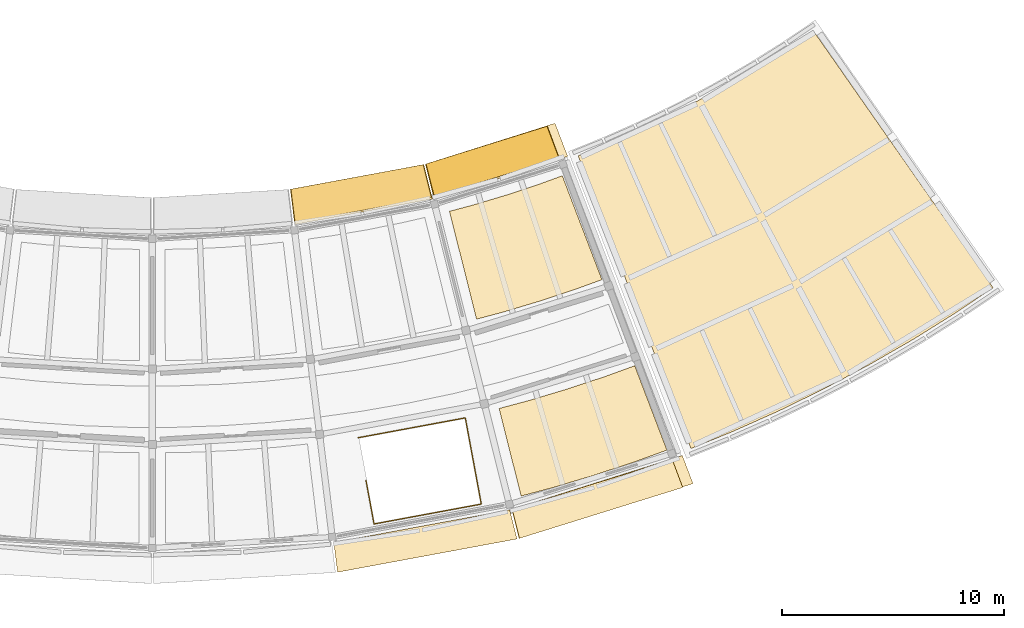
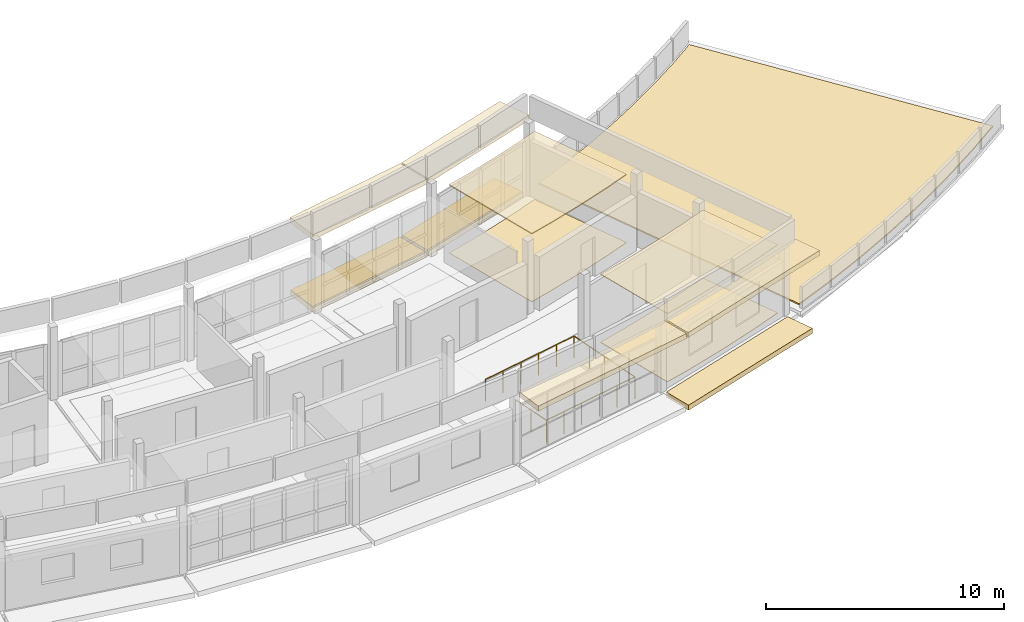
# One storey, part 12 of 12: 12 coverings, 2 shading devices, 1 railing.
"""IFC4 building model written with IfcOpenShell, lengths in metres."""

from ifc_helpers import new_model, si_unit, direction, frame, origin, origin_2d, place, context, subcontext, project, spatial, polyline, circle, outline, extrude, material, layer, layer_set, type_object, element, save


model = new_model("IFC4")

# Units and contexts
model_context = context("Model", 3, precision=1e-05, world=origin(), true_north=direction((0.0, 1.0)))
body_context = subcontext(model_context, "Body", "Model", "MODEL_VIEW")
ifc_project = project(units=[si_unit("LENGTHUNIT", "METRE"), si_unit("AREAUNIT", "SQUARE_METRE"), si_unit("VOLUMEUNIT", "CUBIC_METRE"), si_unit("PLANEANGLEUNIT", "RADIAN"), si_unit("MASSUNIT", "GRAM", prefix="KILO")], contexts=[model_context])

# Site, building, storey
site_placement = place(None, origin())
site = spatial("IfcSite", under=ifc_project, at=site_placement, CompositionType="ELEMENT")
building_placement = place(site_placement, origin())
building = spatial("IfcBuilding", under=site, at=building_placement, Name="Caldaven Crescent School", CompositionType="ELEMENT")
storey_placement = place(building_placement, frame((0.0, 0.0, 19.3798828125)))
storey = spatial("IfcBuildingStorey", under=building, at=storey_placement, Name="L05", CompositionType="ELEMENT", Elevation=19.3798828125)

# Coverings
ifc_material_1 = material(Name="White architectural GFRC precast concrete C35/45 cladding", Category="concrete")
ifc_layer_1 = layer(ifc_material_1, 0.260009765625)
ifc_layer_set_1 = layer_set([ifc_layer_1], Name="White architectural GFRC precast concrete C35/45 cladding")
covering_type_1 = type_object("IfcCoveringType", Name="COV-CLD1", PredefinedType="CLADDING", material=ifc_layer_set_1)
covering_1_placement = place(storey_placement, frame((0.0, 0.0, -0.259765625)))
element("IfcCovering", 1, at=covering_1_placement, inside=storey, type_object=covering_type_1, Name="CLD-IN-L05-101", PredefinedType="CLADDING", context=body_context, shape_type="SweptSolid", body=[
    extrude(outline(polyline([(94.21923828125, 45.78369140625), (100.18994140625, 46.89013671875), (100.5751953125, 45.33740234375), (94.415771484375, 44.19580078125), (94.21923828125, 45.78369140625)])), origin(), (0.0, 0.0, 1.0), 0.259765625),
])
covering_2_placement = place(storey_placement, frame((0.0, 0.0, -0.259765625)))
element("IfcCovering", 2, at=covering_2_placement, inside=storey, type_object=covering_type_1, Name="CLD-IN-L05-103", PredefinedType="CLADDING", context=body_context, shape_type="SweptSolid", body=[
    extrude(outline(polyline([(100.292724609375, 46.915771484375), (105.758056640625, 48.618408203125), (106.319580078125, 47.120361328125), (100.681396484375, 45.36376953125), (100.292724609375, 46.915771484375)])), origin(), (0.0, 0.0, 1.0), 0.259765625),
])
covering_3_placement = place(storey_placement, frame((0.0, 0.0, -0.259765625)))
element("IfcCovering", 3, at=covering_3_placement, inside=storey, type_object=covering_type_1, Name="CLD-OUT-L05-104", PredefinedType="CLADDING", context=body_context, shape_type="SweptSolid", body=[
    extrude(outline(polyline([(104.1796875, 31.395263671875), (111.373291015625, 33.63623046875), (111.84716796875, 32.3720703125), (104.507568359375, 30.085693359375), (104.1796875, 31.395263671875)])), origin(), (0.0, 0.0, 1.0), 0.259765625),
])
covering_4_placement = place(storey_placement, frame((0.0, 0.0, 3.480224609375)))
element("IfcCovering", 4, at=covering_4_placement, inside=storey, type_object=covering_type_1, Name="CLD-IN-ROOF-113", PredefinedType="CLADDING", context=body_context, shape_type="SweptSolid", body=[
    extrude(outline(polyline([(94.199462890625, 45.78125), (100.208984375, 46.89501953125), (100.59521484375, 45.34228515625), (94.3955078125, 44.193359375), (94.199462890625, 45.78125)])), origin(), (0.0, 0.0, 1.0), 0.260009765625),
])
covering_5_placement = place(storey_placement, frame((0.0, 0.0, 3.480224609375)))
element("IfcCovering", 5, at=covering_5_placement, inside=storey, type_object=covering_type_1, Name="CLD-OUT-ROOF-114", PredefinedType="CLADDING", context=body_context, shape_type="SweptSolid", body=[
    extrude(outline(polyline([(96.159912109375, 29.90185546875), (104.069580078125, 31.36767578125), (104.395263671875, 30.0576171875), (96.3251953125, 28.56201171875), (96.159912109375, 29.90185546875)])), origin(), (0.0, 0.0, 1.0), 0.260009765625),
])
covering_6_placement = place(storey_placement, frame((0.0, 0.0, 3.480224609375)))
element("IfcCovering", 6, at=covering_6_placement, inside=storey, type_object=covering_type_1, Name="CLD-IN-ROOF-115", PredefinedType="CLADDING", context=body_context, shape_type="SweptSolid", body=[
    extrude(outline(polyline([(100.2734375, 46.9111328125), (106.1025390625, 48.7490234375), (106.6748046875, 47.2548828125), (100.66162109375, 45.35888671875), (100.2734375, 46.9111328125)])), origin(), (0.0, 0.0, 1.0), 0.260009765625),
])
covering_7_placement = place(storey_placement, frame((0.0, 0.0, 3.480224609375)))
element("IfcCovering", 7, at=covering_7_placement, inside=storey, type_object=covering_type_1, Name="CLD-OUT-ROOF-116", PredefinedType="CLADDING", context=body_context, shape_type="SweptSolid", body=[
    extrude(outline(polyline([(104.154296875, 31.388916015625), (111.826416015625, 33.807861328125), (112.3095703125, 32.54736328125), (104.48193359375, 30.0791015625), (104.154296875, 31.388916015625)])), origin(), (0.0, 0.0, 1.0), 0.260009765625),
])
ifc_material_2 = material(Name="Perforated Pino Radiata acoustic timber baffle ceiling", Category="wood")
ifc_layer_2 = layer(ifc_material_2, 0.030029296875)
ifc_layer_set_2 = layer_set([ifc_layer_2], Name="Perforated Pino Radiata acoustic timber baffle ceiling")
covering_type_2 = type_object("IfcCoveringType", Name="COV-CLG1", PredefinedType="CEILING", material=ifc_layer_set_2)
covering_8_placement = place(storey_placement, frame((0.0, 0.0, 3.5)))
element("IfcCovering", 8, at=covering_8_placement, inside=storey, type_object=covering_type_2, Name="CLG-L05-208", PredefinedType="CEILING", context=body_context, shape_type="SweptSolid", body=[
    extrude(outline(polyline([(104.910400390625, 36.278076171875), (104.923095703125, 36.281494140625), (106.658447265625, 36.80078125), (106.671142578125, 36.804931640625), (108.390380859375, 37.375), (108.40283203125, 37.379150390625), (109.68798828125, 37.84765625), (111.13427734375, 34.053955078125), (109.730712890625, 33.54248046875), (107.8857421875, 32.9306640625), (106.023193359375, 32.37353515625), (104.580322265625, 31.987548828125), (103.589111328125, 35.924560546875), (104.910400390625, 36.278076171875)])), origin(), (0.0, 0.0, 1.0), 0.030029296875),
])
ifc_layer_3 = layer(ifc_material_2, 0.053955078125)
ifc_layer_set_3 = layer_set([ifc_layer_3], Name="Perforated Pino Radiata acoustic timber baffle ceiling")
covering_type_3 = type_object("IfcCoveringType", Name="COV-CLG4", PredefinedType="CEILING", material=ifc_layer_set_3)
covering_9_placement = place(storey_placement, frame((0.0, 0.0, 3.47607421875)))
element("IfcCovering", 9, at=covering_9_placement, inside=storey, type_object=covering_type_3, Name="CLG-L05-207", PredefinedType="CEILING", context=body_context, shape_type="SweptSolid", body=[
    extrude(outline(polyline([(102.41943359375, 45.072021484375), (102.43212890625, 45.07568359375), (103.909912109375, 45.517822265625), (103.922607421875, 45.521728515625), (105.386962890625, 46.00732421875), (105.3994140625, 46.01171875), (106.43212890625, 46.38818359375), (108.21337890625, 41.716064453125), (107.0361328125, 41.287109375), (105.419921875, 40.751220703125), (103.78857421875, 40.26318359375), (102.578369140625, 39.939453125), (101.357666015625, 44.7880859375), (102.41943359375, 45.072021484375)])), origin(), (0.0, 0.0, 1.0), 0.053955078125),
])
ifc_material_3 = material(Name="Polished terrazzo and acoustic linoleum flooring")
ifc_layer_4 = layer(ifc_material_3, 0.02001953125)
ifc_layer_set_4 = layer_set([ifc_layer_4], Name="Polished terrazzo and acoustic linoleum flooring")
covering_type_4 = type_object("IfcCoveringType", Name="COV-FLR1", PredefinedType="FLOORING", material=ifc_layer_set_4)
covering_10_placement = place(storey_placement, origin())
element("IfcCovering", 10, at=covering_10_placement, inside=storey, type_object=covering_type_4, Name="FLR-L05-207", PredefinedType="FLOORING", context=body_context, shape_type="SweptSolid", body=[
    extrude(outline(polyline([(101.357666015625, 44.7880859375), (102.41943359375, 45.072021484375), (102.43212890625, 45.07568359375), (103.909912109375, 45.517822265625), (103.922607421875, 45.521728515625), (105.386962890625, 46.00732421875), (105.3994140625, 46.01171875), (106.43212890625, 46.38818359375), (108.21337890625, 41.716064453125), (107.0361328125, 41.287109375), (105.419921875, 40.751220703125), (103.78857421875, 40.26318359375), (102.578369140625, 39.939453125), (101.357666015625, 44.7880859375)])), origin(), (0.0, 0.0, 1.0), 0.02001953125),
])
ifc_layer_5 = layer(ifc_material_3, 0.02587890625)
ifc_layer_set_5 = layer_set([ifc_layer_5], Name="Polished terrazzo and acoustic linoleum flooring")
covering_type_5 = type_object("IfcCoveringType", Name="COV-FLR2", PredefinedType="FLOORING", material=ifc_layer_set_5)
covering_11_placement = place(storey_placement, origin())
element("IfcCovering", 11, at=covering_11_placement, inside=storey, type_object=covering_type_5, Name="FLR-L05-208", PredefinedType="FLOORING", context=body_context, shape_type="SweptSolid", body=[
    extrude(outline(polyline([(103.589111328125, 35.924560546875), (104.910400390625, 36.278076171875), (104.923095703125, 36.281494140625), (106.658447265625, 36.80078125), (106.671142578125, 36.804931640625), (108.390380859375, 37.375), (108.40283203125, 37.379150390625), (109.68798828125, 37.84765625), (111.13427734375, 34.053955078125), (109.730712890625, 33.54248046875), (107.8857421875, 32.9306640625), (106.023193359375, 32.37353515625), (104.580322265625, 31.987548828125), (103.589111328125, 35.924560546875)])), origin(), (0.0, 0.0, 1.0), 0.026123046875),
])
ifc_material_4 = material(Name="Standing-seam zinc-copper roofing over rigid mineral insulation")
ifc_layer_6 = layer(ifc_material_4, 0.072021484375)
ifc_layer_set_6 = layer_set([ifc_layer_6], Name="Standing-seam zinc-copper roofing over rigid mineral insulation")
covering_type_6 = type_object("IfcCoveringType", Name="COV-RFG1", PredefinedType="ROOFING", material=ifc_layer_set_6)
covering_12_placement = place(storey_placement, origin())
element("IfcCovering", 12, at=covering_12_placement, inside=storey, type_object=covering_type_6, Name="RFG-L05-05", PredefinedType="ROOFING", context=body_context, shape_type="SweptSolid", body=[
    extrude(outline(polyline([(112.214111328125, 34.12451171875), (107.14501953125, 47.281494140625), (108.49658203125, 47.829345703125), (108.5078125, 47.833984375), (110.153564453125, 48.568603515625), (110.16455078125, 48.57373046875), (111.783935546875, 49.36474609375), (111.794677734375, 49.370361328125), (113.3857421875, 50.217041015625), (113.396240234375, 50.222900390625), (114.95703125, 51.124267578125), (114.96728515625, 51.130615234375), (116.495849609375, 52.085205078125), (116.506103515625, 52.091796875), (117.71533203125, 52.906982421875), (125.797119140625, 41.35302734375), (124.177490234375, 40.261474609375), (122.224365234375, 39.041259765625), (120.22998046875, 37.889404296875), (118.19677734375, 36.8076171875), (116.12744140625, 35.796630859375), (114.024169921875, 34.858154296875), (112.214111328125, 34.12451171875)])), origin(), (0.0, 0.0, 1.0), 0.072021484375),
])

# Railing
ifc_material_5 = material(Name="Powder-coated tubular steel balustrade ASTM A572 Grade 50", Category="steel")
railing_type = type_object("IfcRailingType", Name="RAL-INT3", PredefinedType="BALUSTRADE", material=ifc_material_5)
railing_placement = place(storey_placement, frame((97.606201171875, 32.6904296875, 0.0)))
element("IfcRailing", 13, at=railing_placement, inside=storey, type_object=railing_type, Name="GD-WELL-ST3-L05", PredefinedType="BALUSTRADE", context=body_context, shape_type="SweptSolid", body=[
    extrude(circle(Radius=0.02392578125, at=origin_2d()), frame((0.0, 0.0, 1.1259765625), z_axis=(0.182199096939, -0.983261658499, 0.0), x_axis=(0.983261658499, 0.182199096939, 0.0)), (0.0, 0.0, 1.0), 1.98974609375),
    extrude(circle(Radius=0.02392578125, at=origin_2d()), frame((0.362548828125, -1.95654296875, 1.1259765625), z_axis=(0.983254581157, 0.18223728662, 0.0), x_axis=(-0.18223728662, 0.983254581157, 0.0)), (0.0, 0.0, 1.0), 4.90185546875),
    extrude(circle(Radius=0.02392578125, at=origin_2d()), frame((5.182373046875, -1.063232421875, 1.1259765625), z_axis=(-0.182237923861, 0.98325446305, 0.0), x_axis=(-0.98325446305, -0.182237923861, 0.0)), (0.0, 0.0, 1.0), 3.93994140625),
    extrude(circle(Radius=0.02392578125, at=origin_2d()), frame((4.46435546875, 2.810791015625, 1.1259765625), z_axis=(-0.983254581157, -0.18223728662, 0.0), x_axis=(0.18223728662, -0.983254581157, 0.0)), (0.0, 0.0, 1.0), 4.90185546875),
    extrude(circle(Radius=0.02099609375, at=origin_2d()), origin(), (0.0, 0.0, 1.0), 1.101806640625),
    extrude(circle(Radius=0.02099609375, at=origin_2d()), frame((0.18115234375, -0.978271484375, 0.0)), (0.0, 0.0, 1.0), 1.101806640625),
    extrude(circle(Radius=0.02099609375, at=origin_2d()), frame((0.362548828125, -1.95654296875, 0.0)), (0.0, 0.0, 1.0), 1.101806640625),
    extrude(circle(Radius=0.02099609375, at=origin_2d()), frame((1.326416015625, -1.77783203125, 0.0)), (0.0, 0.0, 1.0), 1.101806640625),
    extrude(circle(Radius=0.02099609375, at=origin_2d()), frame((2.29052734375, -1.59912109375, 0.0)), (0.0, 0.0, 1.0), 1.101806640625),
    extrude(circle(Radius=0.02099609375, at=origin_2d()), frame((3.25439453125, -1.420654296875, 0.0)), (0.0, 0.0, 1.0), 1.101806640625),
    extrude(circle(Radius=0.02099609375, at=origin_2d()), frame((4.218505859375, -1.241943359375, 0.0)), (0.0, 0.0, 1.0), 1.101806640625),
    extrude(circle(Radius=0.02099609375, at=origin_2d()), frame((5.182373046875, -1.063232421875, 0.0)), (0.0, 0.0, 1.0), 1.101806640625),
    extrude(circle(Radius=0.02099609375, at=origin_2d()), frame((5.0029296875, -0.0947265625, 0.0)), (0.0, 0.0, 1.0), 1.101806640625),
    extrude(circle(Radius=0.02099609375, at=origin_2d()), frame((4.8232421875, 0.873779296875, 0.0)), (0.0, 0.0, 1.0), 1.101806640625),
    extrude(circle(Radius=0.02099609375, at=origin_2d()), frame((4.643798828125, 1.84228515625, 0.0)), (0.0, 0.0, 1.0), 1.101806640625),
    extrude(circle(Radius=0.02099609375, at=origin_2d()), frame((4.46435546875, 2.810791015625, 0.0)), (0.0, 0.0, 1.0), 1.101806640625),
    extrude(circle(Radius=0.02099609375, at=origin_2d()), frame((3.50048828125, 2.632080078125, 0.0)), (0.0, 0.0, 1.0), 1.101806640625),
    extrude(circle(Radius=0.02099609375, at=origin_2d()), frame((2.536376953125, 2.453369140625, 0.0)), (0.0, 0.0, 1.0), 1.101806640625),
    extrude(circle(Radius=0.02099609375, at=origin_2d()), frame((1.572509765625, 2.27490234375, 0.0)), (0.0, 0.0, 1.0), 1.101806640625),
    extrude(circle(Radius=0.02099609375, at=origin_2d()), frame((0.6083984375, 2.09619140625, 0.0)), (0.0, 0.0, 1.0), 1.101806640625),
    extrude(circle(Radius=0.02099609375, at=origin_2d()), frame((-0.35546875, 1.91748046875, 0.0)), (0.0, 0.0, 1.0), 1.101806640625),
])

# Shading devices
ifc_material_6 = material(Name="Precast concrete C35/45", Category="concrete")
ifc_layer_7 = layer(ifc_material_6, 0.139892578125)
ifc_layer_set_7 = layer_set([ifc_layer_7], Name="Precast concrete C35/45")
shading_device_type = type_object("IfcShadingDeviceType", Name="SHD-S01", PredefinedType="AWNING", material=ifc_layer_set_7)
shading_device_1_placement = place(storey_placement, frame((0.0, 0.0, -0.139892578125)))
element("IfcShadingDevice", 14, at=shading_device_1_placement, inside=storey, type_object=shading_device_type, Name="SHD-LDG-L05-075", PredefinedType="AWNING", context=body_context, shape_type="SweptSolid", body=[
    extrude(outline(polyline([(94.23681640625, 45.785888671875), (100.172607421875, 46.885986328125), (100.538330078125, 45.41064453125), (94.424072265625, 44.27734375), (94.23681640625, 45.785888671875)])), origin(), (0.0, 0.0, 1.0), 0.139892578125),
])
shading_device_2_placement = place(storey_placement, frame((0.0, 0.0, -0.139892578125)))
element("IfcShadingDevice", 15, at=shading_device_2_placement, inside=storey, type_object=shading_device_type, Name="SHD-LDG-L05-076", PredefinedType="AWNING", context=body_context, shape_type="SweptSolid", body=[
    extrude(outline(polyline([(100.309814453125, 46.920166015625), (105.74169921875, 48.6123046875), (106.2744140625, 47.188720703125), (100.6796875, 45.44580078125), (100.309814453125, 46.920166015625)])), origin(), (0.0, 0.0, 1.0), 0.139892578125),
])

save(model, "model.ifc")
